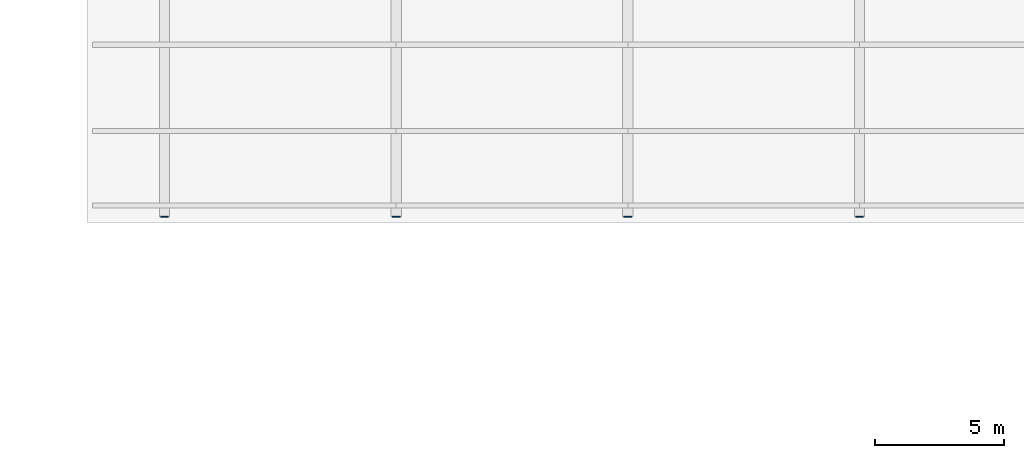
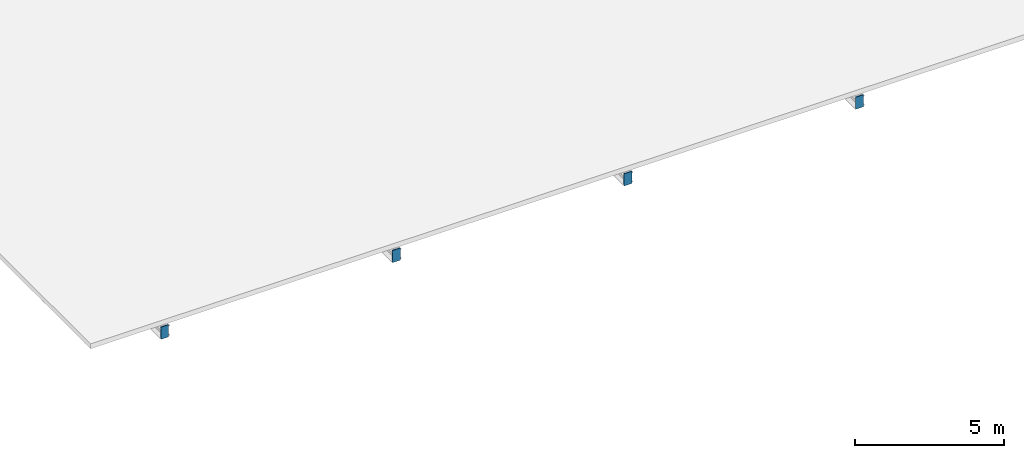
# One storey, part 24 of 32: 4 discrete accessories.
"""IFC4 building model written with IfcOpenShell, lengths in metres."""

from ifc_helpers import new_model, si_unit, direction, frame, origin, origin_2d, place, context, subcontext, project, spatial, rectangle, extrude, material, layer, layer_set, type_object, element, save


model = new_model("IFC4")

# Units and contexts
model_context = context("Model", 3, precision=1e-05, world=origin(), true_north=direction((0.0, 1.0)))
body_context = subcontext(model_context, "Body", "Model", "MODEL_VIEW")
ifc_project = project(units=[si_unit("LENGTHUNIT", "METRE"), si_unit("AREAUNIT", "SQUARE_METRE"), si_unit("VOLUMEUNIT", "CUBIC_METRE"), si_unit("PLANEANGLEUNIT", "RADIAN"), si_unit("MASSUNIT", "GRAM", prefix="KILO")], contexts=[model_context])

# Site, building, storey
site_placement = place(None, origin())
site = spatial("IfcSite", under=ifc_project, at=site_placement, CompositionType="ELEMENT")
building_placement = place(site_placement, origin())
building = spatial("IfcBuilding", under=site, at=building_placement, Name="Hunhe Ridgeline Campus", CompositionType="ELEMENT")
storey_placement = place(building_placement, frame((0.0, 0.0, 26.39990234375)))
storey = spatial("IfcBuildingStorey", under=building, at=storey_placement, Name="L05", CompositionType="ELEMENT", Elevation=26.39990234375)

# Discrete accessories
ifc_material = material(Name="Steel Q355", Category="steel")
ifc_layer = layer(ifc_material, 0.030029296875)
ifc_layer_set = layer_set([ifc_layer], Name="Cast-in plate 300x500x30 Steel Q355")
discrete_accessory_type = type_object("IfcDiscreteAccessoryType", Name="Cast-in plate 300x500x30 Steel Q355", PredefinedType="BRACKET", material=ifc_layer_set)
for number, where, z_axis, x_axis, name in (
    (1, (153.0, 22.715087890625, 0.14013671875), (0.0, 0.0, 1.0), (0.0, 1.0, 0.0), "Roof truss 1 cast-in plate s top"),
    (2, (162.0, 22.715087890625, 0.14013671875), (0.0, 0.0, 1.0), (0.0, 1.0, 0.0), "Roof truss 2 cast-in plate s top"),
    (3, (171.0, 22.715087890625, 0.14013671875), (0.0, 0.0, 1.0), (0.0, 1.0, 0.0), "Roof truss 3 cast-in plate s top"),
    (4, (180.0, 22.715087890625, 0.14013671875), (0.0, 0.0, 1.0), (0.0, 1.0, 0.0), "Roof truss 4 cast-in plate s top"),
):
    element("IfcDiscreteAccessory", number, at=place(storey_placement, frame(where, z_axis=z_axis, x_axis=x_axis)), inside=storey, type_object=discrete_accessory_type, Name=name, PredefinedType="BRACKET", context=body_context, shape_type="SweptSolid", body=[
        extrude(rectangle(XDim=0.030029296875, YDim=0.300048828125, at=origin_2d()), origin(), (0.0, 0.0, 1.0), 0.5),
    ])

save(model, "model.ifc")
